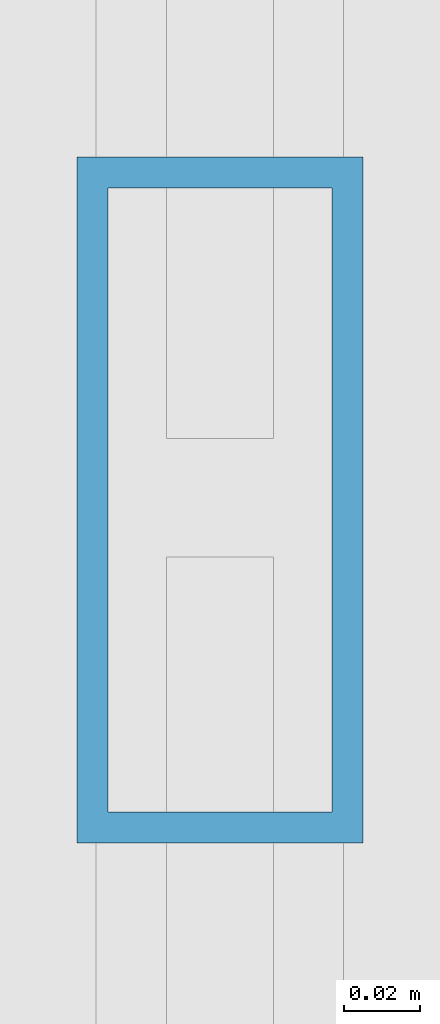
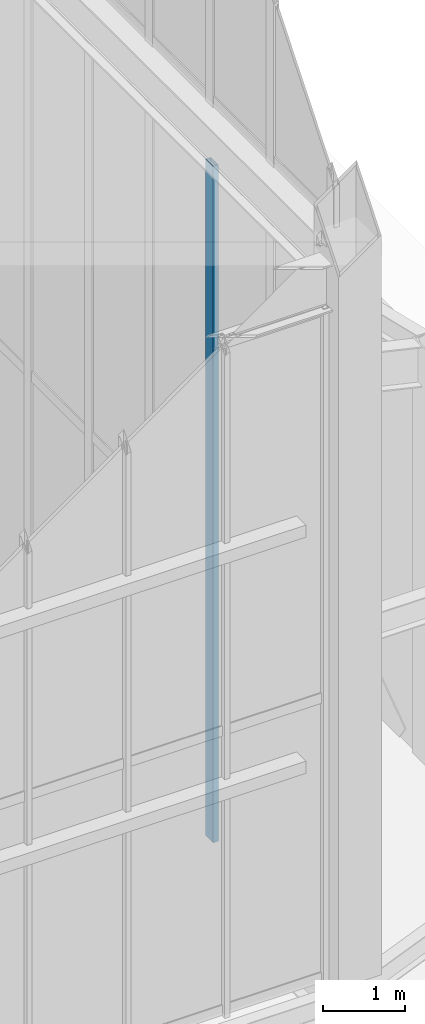
# One storey, part 49 of 135: 1 member, 1 element without a shape of its own.
"""IFC4 building model written with IfcOpenShell, lengths in metres."""

from ifc_helpers import new_model, si_unit, direction, frame, origin, origin_2d, place, context, subcontext, project, spatial, hollow_rectangle, extrude, source, transform, mapped, material, layer, layer_set, material_profile, profile_set, type_object, element, aggregate, save


model = new_model("IFC4")

# Units and contexts
model_context = context("Model", 3, precision=1e-05, world=origin(), true_north=direction((0.0, 1.0)))
body_context = subcontext(model_context, "Body", "Model", "MODEL_VIEW")
ifc_project = project(units=[si_unit("LENGTHUNIT", "METRE"), si_unit("AREAUNIT", "SQUARE_METRE"), si_unit("VOLUMEUNIT", "CUBIC_METRE"), si_unit("PLANEANGLEUNIT", "RADIAN"), si_unit("MASSUNIT", "GRAM", prefix="KILO")], contexts=[model_context])

# Site, building, storey
site_placement = place(None, origin())
site = spatial("IfcSite", under=ifc_project, at=site_placement, CompositionType="ELEMENT")
building_placement = place(site_placement, origin())
building = spatial("IfcBuilding", under=site, at=building_placement, Name="Giltprow Tower", CompositionType="ELEMENT")
storey_placement = place(building_placement, frame((0.0, 0.0, 352.699951171875)))
storey = spatial("IfcBuildingStorey", under=building, at=storey_placement, Name="L92", CompositionType="ELEMENT", Elevation=352.699951171875)

# Curtain wall, member
ifc_material = material(Name="Anodized bronze", Category="metal")
ifc_layer = layer(ifc_material, 0.179931640625, Name="Anodized bronze")
ifc_layer_set = layer_set([ifc_layer], Name="Anodized bronze")
curtain_wall_type = type_object("IfcCurtainWallType", Name="CW-CROWN-LANTERN", PredefinedType="NOTDEFINED", material=ifc_layer_set)
curtain_wall_placement = place(storey_placement, origin())
curtain_wall = element("IfcCurtainWall", 1, at=curtain_wall_placement, inside=storey, type_object=curtain_wall_type, Name="Crown East Lower Lantern Glazing 2", PredefinedType="NOTDEFINED")
ifc_material_profile = material_profile(ifc_material, hollow_rectangle(XDim=0.074951171875, YDim=0.179931640625, WallThickness=0.008056640625, at=origin_2d()), Name="RHS 180x75x8")
ifc_profile_set = profile_set([ifc_material_profile], Name="Anodized bronze")
member_type = type_object("IfcMemberType", Name="CW-MULLION-180x75", PredefinedType="MULLION", material=ifc_profile_set)
shared_shape = source(origin(), body_context, "Body", "SweptSolid", [
    extrude(hollow_rectangle(XDim=0.074951171875, YDim=0.179931640625, WallThickness=0.008056640625, at=origin_2d()), origin(), (0.0, 0.0, 1.0), 10.030029296875),
])
member_placement = place(storey_placement, frame((50.550048828125, 26.7939453125, 6.35009765625), z_axis=(0.0, 0.0, 1.0), x_axis=(1.0, 0.0, 0.0)))
member = element("IfcMember", 2, at=member_placement, type_object=member_type, Name="Crown East Lower Lantern Glazing 2 Mullion 3", PredefinedType="MULLION", context=body_context, shape_type="MappedRepresentation", body=[
    mapped(shared_shape, transform((0.0, 0.0, 0.0), x_axis=(1.0, 0.0, 0.0), y_axis=(0.0, 1.0, 0.0), z_axis=(0.0, 0.0, 1.0), scale=1.0)),
])
aggregate(curtain_wall, [member])

save(model, "model.ifc")
